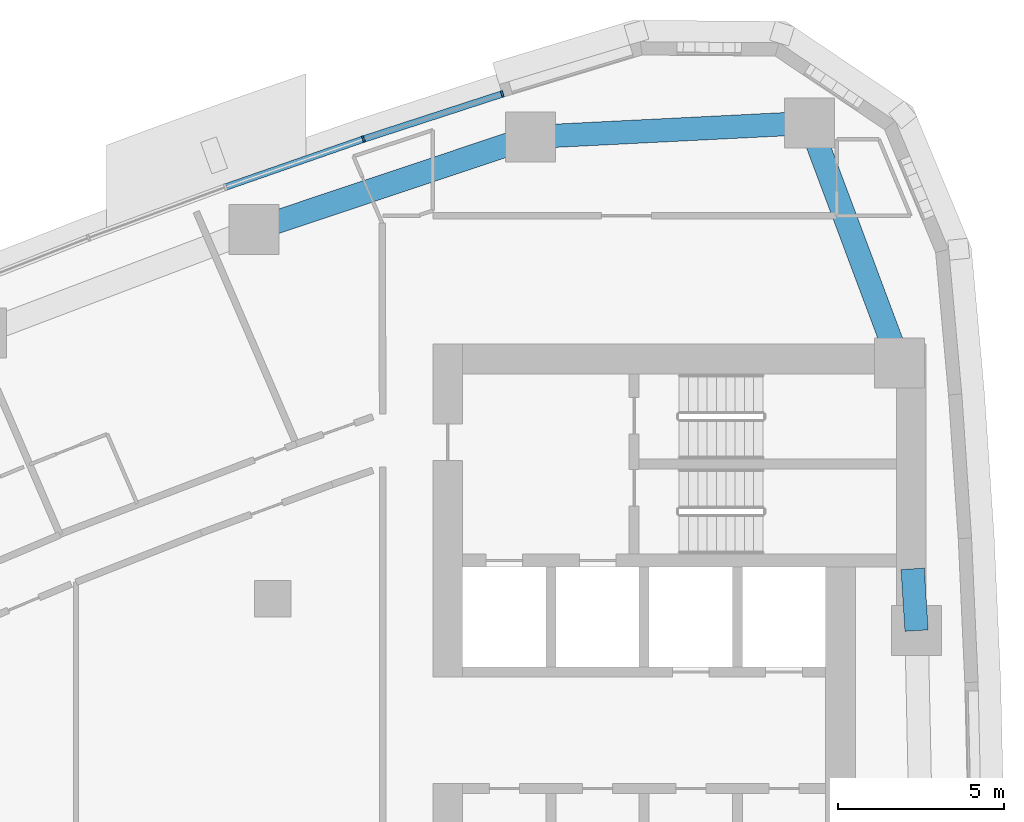
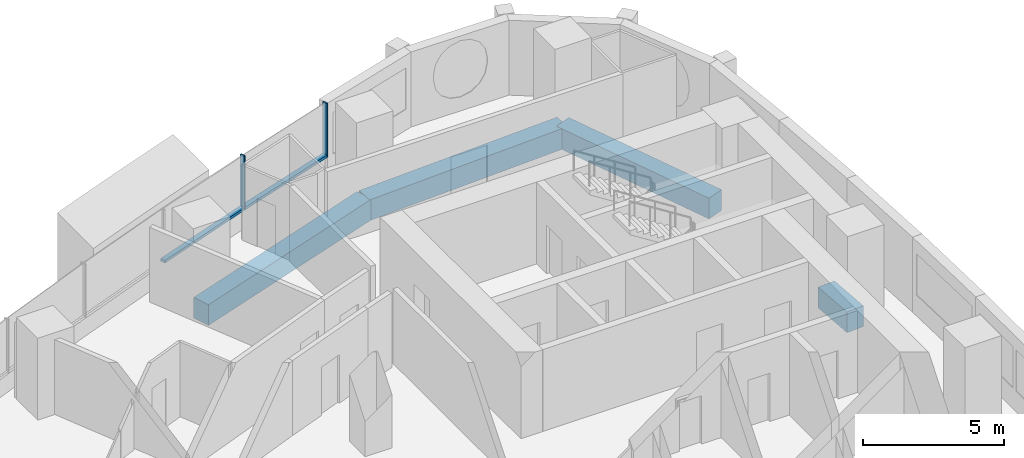
# One storey, part 6 of 17: 4 beams, 4 members, 1 element without a shape of its own.
"""IFC4 building model written with IfcOpenShell, lengths in metres."""

from ifc_helpers import new_model, si_unit, direction, frame, origin, origin_2d, place, context, subcontext, project, spatial, rectangle, extrude, material, layer, layer_set, material_profile, profile_set, type_object, element, aggregate, save


model = new_model("IFC4")

# Units and contexts
model_context = context("Model", 3, precision=1e-05, world=origin(), true_north=direction((0.0, 1.0)))
body_context = subcontext(model_context, "Body", "Model", "MODEL_VIEW")
ifc_project = project(units=[si_unit("LENGTHUNIT", "METRE"), si_unit("AREAUNIT", "SQUARE_METRE"), si_unit("VOLUMEUNIT", "CUBIC_METRE"), si_unit("PLANEANGLEUNIT", "RADIAN"), si_unit("MASSUNIT", "GRAM", prefix="KILO")], contexts=[model_context])

# Site, building, storey
site_placement = place(None, origin())
site = spatial("IfcSite", under=ifc_project, at=site_placement, CompositionType="ELEMENT")
building_placement = place(site_placement, origin())
building = spatial("IfcBuilding", under=site, at=building_placement, Name="Ostrand Prow Hotel Tower", CompositionType="ELEMENT")
storey_placement = place(building_placement, frame((0.0, 0.0, 158.60009765625)))
storey = spatial("IfcBuildingStorey", under=building, at=storey_placement, Name="L39", CompositionType="ELEMENT", Elevation=158.60009765625)

# Beams
ifc_material_1 = material(Name="Concrete C70/85", Category="concrete")
ifc_material_profile_1 = material_profile(ifc_material_1, rectangle(XDim=0.699951171875, YDim=0.89990234375, at=origin_2d()), Name="RC 700x900")
ifc_profile_set_1 = profile_set([ifc_material_profile_1], Name="Concrete C70/85")
beam_type = type_object("IfcBeamType", Name="Edge beam 700x900 C70/85", PredefinedType="SPANDREL", material=ifc_profile_set_1)
beam_1_placement = place(storey_placement, frame((64.32958984375, 8.044677734375, -0.75), z_axis=(-0.063563790544, 0.997977777574, 0.0), x_axis=(-0.997977777574, -0.063563790544, 0.0)))
element("IfcBeam", 1, at=beam_1_placement, inside=storey, type_object=beam_type, Name="Edge beam B4-B5", PredefinedType="SPANDREL", context=body_context, shape_type="SweptSolid", body=[
    extrude(rectangle(XDim=0.699951171875, YDim=0.89990234375, at=origin_2d()), origin(), (0.0, 0.0, 1.0), 1.85888671875),
])
beam_2_placement = place(storey_placement, frame((63.584716796875, 16.699951171875, -0.75), z_axis=(-0.350602524344, 0.93652435629, 0.0), x_axis=(-0.93652435629, -0.350602524344, 0.0)))
element("IfcBeam", 2, at=beam_2_placement, inside=storey, type_object=beam_type, Name="Edge beam B5-NE", PredefinedType="SPANDREL", context=body_context, shape_type="SweptSolid", body=[
    extrude(rectangle(XDim=0.699951171875, YDim=0.89990234375, at=origin_2d()), origin(), (0.0, 0.0, 1.0), 7.037353515625),
])
beam_3_placement = place(storey_placement, frame((61.117431640625, 23.29052734375, -0.75), z_axis=(-0.99873741544, -0.050235196825, 0.0), x_axis=(0.050235196825, -0.99873741544, 0.0)))
element("IfcBeam", 3, at=beam_3_placement, inside=storey, type_object=beam_type, Name="Edge beam NE-N1", PredefinedType="SPANDREL", context=body_context, shape_type="SweptSolid", body=[
    extrude(rectangle(XDim=0.699951171875, YDim=0.89990234375, at=origin_2d()), origin(), (0.0, 0.0, 1.0), 8.38818359375),
])
beam_4_placement = place(storey_placement, frame((52.73974609375, 22.869140625, -0.75), z_axis=(-0.948376051094, -0.317148018616, 0.0), x_axis=(0.317148018616, -0.948376051094, 0.0)))
element("IfcBeam", 4, at=beam_4_placement, inside=storey, type_object=beam_type, Name="Edge beam N1-N2", PredefinedType="SPANDREL", context=body_context, shape_type="SweptSolid", body=[
    extrude(rectangle(XDim=0.699951171875, YDim=0.89990234375, at=origin_2d()), origin(), (0.0, 0.0, 1.0), 8.75341796875),
])

# Curtain wall, members
ifc_material_2 = material(Name="Insulated glass in bronze anodised frame", Category="glass")
ifc_layer = layer(ifc_material_2, 0.199951171875)
ifc_layer_set = layer_set([ifc_layer], Name="Insulated glass in bronze anodised frame")
curtain_wall_type = type_object("IfcCurtainWallType", Name="Strip curtain wall, fritted glass over bronze spandrel", PredefinedType="NOTDEFINED", material=ifc_layer_set)
curtain_wall_placement = place(storey_placement, origin())
curtain_wall = element("IfcCurtainWall", 5, at=curtain_wall_placement, inside=storey, type_object=curtain_wall_type, Name="CW1 run CWN1", PredefinedType="NOTDEFINED")
ifc_material_3 = material(Name="Bronze anodised aluminium", Category="aluminium")
ifc_material_profile_2 = material_profile(ifc_material_3, rectangle(XDim=0.199951171875, YDim=0.06005859375, at=origin_2d()), Name="Mullion 60x200 bronze anodised aluminium")
ifc_profile_set_2 = profile_set([ifc_material_profile_2], Name="Bronze anodised aluminium")
member_type_1 = type_object("IfcMemberType", Name="Mullion 60x200 bronze anodised aluminium", PredefinedType="MULLION", material=ifc_profile_set_2)
member_1_placement = place(storey_placement, frame((51.888916015625, 24.16162109375, 0.89990234375), z_axis=(0.0, 0.0, 1.0), x_axis=(0.309380491373, -0.950938332153, 0.0)))
member_1 = element("IfcMember", 6, at=member_1_placement, type_object=member_type_1, Name="CW1 mullion 1", PredefinedType="MULLION", context=body_context, shape_type="SweptSolid", body=[
    extrude(rectangle(XDim=0.199951171875, YDim=0.06005859375, at=origin_2d()), origin(), (0.0, 0.0, 1.0), 2.35009765625),
])
member_2_placement = place(storey_placement, frame((47.718017578125, 22.8046875, 0.89990234375), z_axis=(0.0, 0.0, 1.0), x_axis=(0.328428177424, -0.944528947293, 0.0)))
member_2 = element("IfcMember", 7, at=member_2_placement, type_object=member_type_1, Name="CW1 mullion 2", PredefinedType="MULLION", context=body_context, shape_type="SweptSolid", body=[
    extrude(rectangle(XDim=0.199951171875, YDim=0.06005859375, at=origin_2d()), origin(), (0.0, 0.0, 1.0), 2.35009765625),
])
ifc_material_4 = material(Name="Bronze anodised aluminium", Category="aluminium")
ifc_material_profile_3 = material_profile(ifc_material_4, rectangle(XDim=0.199951171875, YDim=0.1201171875, at=origin_2d()), Name="Transom 120x200 bronze anodised aluminium")
ifc_profile_set_3 = profile_set([ifc_material_profile_3], Name="Bronze anodised aluminium")
member_type_2 = type_object("IfcMemberType", Name="Transom 120x200 bronze anodised aluminium", PredefinedType="USERDEFINED", material=ifc_profile_set_3)
member_3_placement = place(storey_placement, frame((51.8603515625, 24.15234375, 0.9599609375), z_axis=(-0.950938634958, -0.309379560643, 0.0), x_axis=(0.309379560643, -0.950938634958, 0.0)))
member_3 = element("IfcMember", 8, at=member_3_placement, type_object=member_type_2, Name="CW1 transom 1.1", ObjectType="TRANSOM", PredefinedType="USERDEFINED", context=body_context, shape_type="SweptSolid", body=[
    extrude(rectangle(XDim=0.199951171875, YDim=0.1201171875, at=origin_2d()), origin(), (0.0, 0.0, 1.0), 4.325927734375),
])
member_4_placement = place(storey_placement, frame((47.689697265625, 22.794921875, 0.9599609375), z_axis=(-0.944524201162, -0.328441826538, 0.0), x_axis=(0.328441826538, -0.944524201162, 0.0)))
member_4 = element("IfcMember", 9, at=member_4_placement, type_object=member_type_2, Name="CW1 transom 2.1", ObjectType="TRANSOM", PredefinedType="USERDEFINED", context=body_context, shape_type="SweptSolid", body=[
    extrude(rectangle(XDim=0.199951171875, YDim=0.1201171875, at=origin_2d()), origin(), (0.0, 0.0, 1.0), 4.326171875),
])
aggregate(curtain_wall, [member_1, member_2, member_3, member_4])

save(model, "model.ifc")
